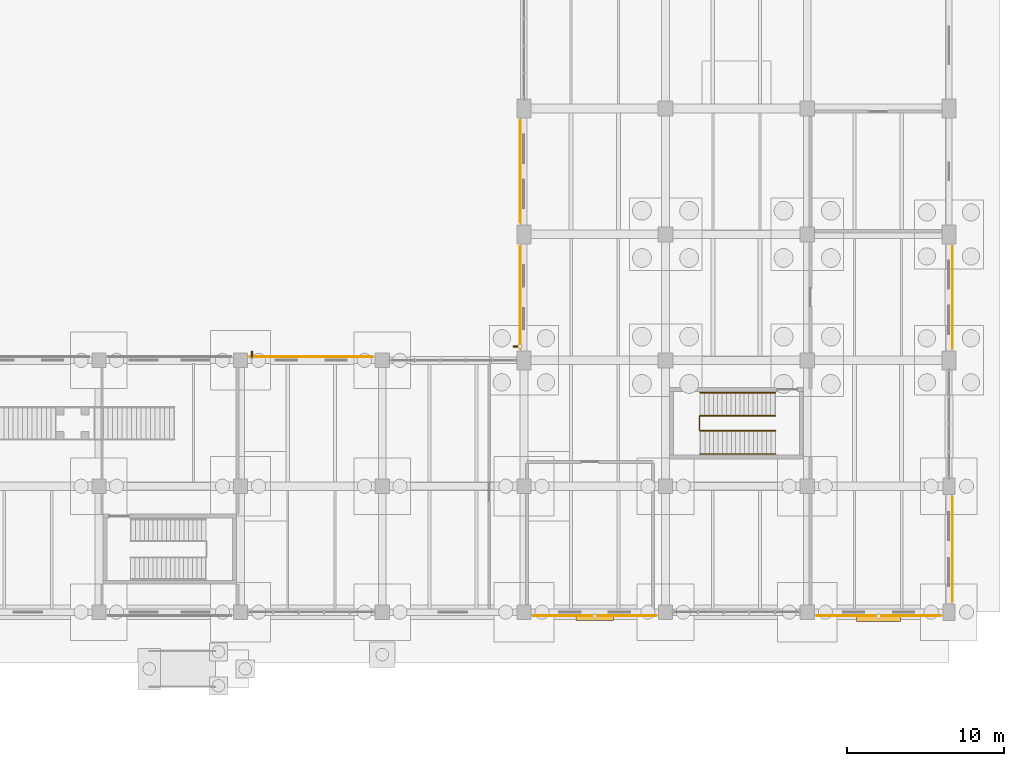
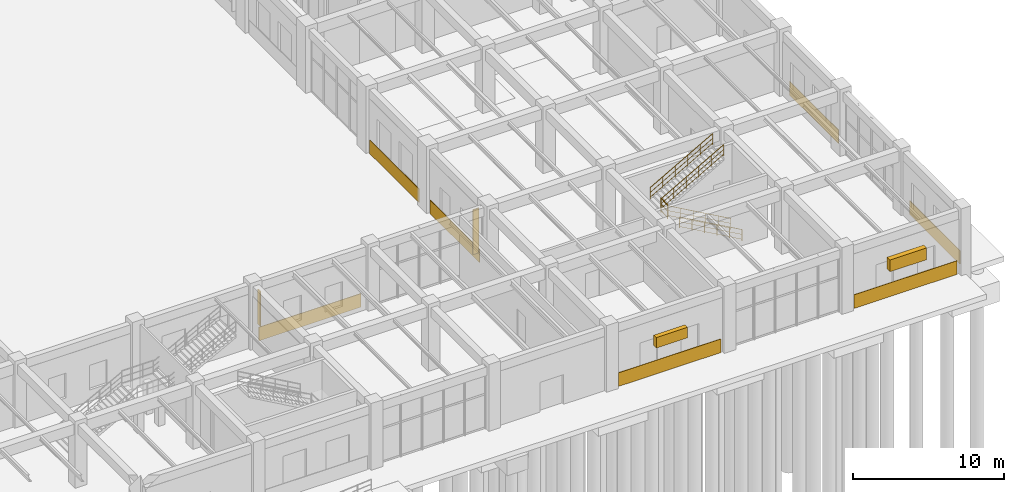
# One storey, part 117 of 121: 7 coverings, 5 railings, 4 shading devices.
"""IFC4 building model written with IfcOpenShell, lengths in metres."""

from ifc_helpers import new_model, si_unit, derived_unit, direction, frame, origin, origin_2d, place, context, subcontext, project, spatial, rectangle, circle, extrude, material, layer, layer_set, type_object, element, save


model = new_model("IFC4")

# Units and contexts
model_context = context("Model", 3, precision=1e-05, world=origin(), true_north=direction((0.0, 1.0)))
body_context = subcontext(model_context, "Body", "Model", "MODEL_VIEW")
ifc_project = project(units=[si_unit("LENGTHUNIT", "METRE"), si_unit("AREAUNIT", "SQUARE_METRE"), si_unit("VOLUMEUNIT", "CUBIC_METRE"), si_unit("PLANEANGLEUNIT", "RADIAN"), si_unit("MASSUNIT", "GRAM", prefix="KILO"), derived_unit("THERMALTRANSMITTANCEUNIT", [(si_unit("MASSUNIT", "GRAM", prefix="KILO"), 1), (si_unit("TIMEUNIT", "SECOND"), -3), (si_unit("THERMODYNAMICTEMPERATUREUNIT", "KELVIN"), -1)])], contexts=[model_context])

# Site, building, storey
site_placement = place(None, origin())
site = spatial("IfcSite", under=ifc_project, at=site_placement, CompositionType="ELEMENT")
building_placement = place(site_placement, origin())
building = spatial("IfcBuilding", under=site, at=building_placement, Name="Zhenchuan Archway Interchange", CompositionType="ELEMENT")
storey_placement = place(building_placement, origin())
storey = spatial("IfcBuildingStorey", under=building, at=storey_placement, Name="L00", CompositionType="ELEMENT", Elevation=0.0)

# Coverings
ifc_material_1 = material(Name="Granite Stone Cladding", Category="masonry")
ifc_layer = layer(ifc_material_1, 0.0400390625)
ifc_layer_set = layer_set([ifc_layer], Name="Granite Stone Cladding")
covering_type = type_object("IfcCoveringType", Name="COV_CLAD_GRANITE", PredefinedType="CLADDING", material=ifc_layer_set)
covering_1_placement = place(storey_placement, frame((171.22802734375, 28.0, 0.0), z_axis=(0.0, 0.0, 1.0), x_axis=(0.0, -1.0, 0.0)))
element("IfcCovering", 1, at=covering_1_placement, inside=storey, type_object=covering_type, Name="Pearl-grey granite plinth band 074", PredefinedType="CLADDING", context=body_context, shape_type="SweptSolid", body=[
    extrude(rectangle(XDim=6.50390625, YDim=0.0400390625, at=origin_2d()), origin(), (0.0, 0.0, 1.0), 1.10009765625),
])
covering_2_placement = place(storey_placement, frame((171.22802734375, 12.0, 0.0), z_axis=(0.0, 0.0, 1.0), x_axis=(0.0, -1.0, 0.0)))
element("IfcCovering", 2, at=covering_2_placement, inside=storey, type_object=covering_type, Name="Pearl-grey granite plinth band 076", PredefinedType="CLADDING", context=body_context, shape_type="SweptSolid", body=[
    extrude(rectangle(XDim=6.654052734375, YDim=0.0400390625, at=origin_2d()), origin(), (0.0, 0.0, 1.0), 1.10009765625),
])
covering_3_placement = place(storey_placement, frame((166.53759765625, 7.77197265625, 0.0), z_axis=(0.0, 0.0, 1.0), x_axis=(-1.0, 0.0, 0.0)))
element("IfcCovering", 3, at=covering_3_placement, inside=storey, type_object=covering_type, Name="Pearl-grey granite plinth band 077", PredefinedType="CLADDING", context=body_context, shape_type="SweptSolid", body=[
    extrude(rectangle(XDim=7.87890625, YDim=0.0400390625, at=origin_2d()), origin(), (0.0, 0.0, 1.0), 1.10009765625),
])
for number, where, z_axis, x_axis, name in (
    (4, (148.5, 7.77197265625, 0.0), (0.0, 0.0, 1.0), (-1.0, 0.0, 0.0), "Pearl-grey granite plinth band 079"),
    (5, (130.5, 24.22802734375, 0.0), (0.0, 0.0, 1.0), (1.0, 0.0, 0.0), "Pearl-grey granite plinth band 101"),
):
    element("IfcCovering", number, at=place(storey_placement, frame(where, z_axis=z_axis, x_axis=x_axis)), inside=storey, type_object=covering_type, Name=name, PredefinedType="CLADDING", context=body_context, shape_type="SweptSolid", body=[
        extrude(rectangle(XDim=7.803955078125, YDim=0.0400390625, at=origin_2d()), origin(), (0.0, 0.0, 1.0), 1.10009765625),
    ])
for number, where, z_axis, x_axis, name in (
    (6, (143.77197265625, 28.0, 0.0), (0.0, 0.0, 1.0), (0.0, 1.0, 0.0), "Pearl-grey granite plinth band 103"),
    (7, (143.77197265625, 36.0, 0.0), (0.0, 0.0, 1.0), (0.0, 1.0, 0.0), "Pearl-grey granite plinth band 104"),
):
    element("IfcCovering", number, at=place(storey_placement, frame(where, z_axis=z_axis, x_axis=x_axis)), inside=storey, type_object=covering_type, Name=name, PredefinedType="CLADDING", context=body_context, shape_type="SweptSolid", body=[
        extrude(rectangle(XDim=6.50390625, YDim=0.0400390625, at=origin_2d()), origin(), (0.0, 0.0, 1.0), 1.10009765625),
    ])

# Railings
ifc_material_2 = material(Name="Painted Galvanised Steel", Category="steel")
railing_type_1 = type_object("IfcRailingType", Name="RL_GUARD_1150", PredefinedType="GUARDRAIL", material=ifc_material_2)
railing_placement = place(storey_placement, frame((155.155029296875, 19.56494140625, 2.699951171875)))
element("IfcRailing", 8, at=railing_placement, inside=storey, type_object=railing_type_1, Name="Stair ST-O4 half-landing slot guard (L00)", PredefinedType="GUARDRAIL", context=body_context, shape_type="SweptSolid", body=[
    extrude(circle(Radius=0.02392578125, at=origin_2d()), frame((0.0, 0.0, 1.1259765625), z_axis=(0.0, 1.0, 0.0), x_axis=(-1.0, 0.0, 0.0)), (0.0, 0.0, 1.0), 0.8701171875),
    extrude(circle(Radius=0.01611328125, at=origin_2d()), frame((0.0, 0.0, 0.63232421875), z_axis=(0.0, 1.0, 0.0), x_axis=(-1.0, 0.0, 0.0)), (0.0, 0.0, 1.0), 0.8701171875),
    extrude(circle(Radius=0.01611328125, at=origin_2d()), frame((0.0, 0.0, 0.1201171875), z_axis=(0.0, 1.0, 0.0), x_axis=(-1.0, 0.0, 0.0)), (0.0, 0.0, 1.0), 0.8701171875),
    extrude(circle(Radius=0.02099609375, at=origin_2d()), origin(), (0.0, 0.0, 1.0), 1.1259765625),
    extrude(circle(Radius=0.02099609375, at=origin_2d()), frame((0.0, 0.8701171875, 0.0)), (0.0, 0.0, 1.0), 1.1259765625),
])
ifc_material_3 = material(Name="Stainless Steel 304", Category="steel")
railing_type_2 = type_object("IfcRailingType", Name="RL_HAND_920", PredefinedType="HANDRAIL", material=ifc_material_3)
for number, where, name in (
    (9, (159.97509765625, 18.054931640625, 0.14990234375), "Stair ST-O4 handrail 1 (L00)"),
    (10, (159.97509765625, 19.52490234375, 0.14990234375), "Stair ST-O4 handrail 2 (L00)"),
):
    element("IfcRailing", number, at=place(storey_placement, frame(where)), inside=storey, type_object=railing_type_2, Name=name, PredefinedType="HANDRAIL", context=body_context, shape_type="SweptSolid", body=[
        extrude(circle(Radius=0.02392578125, at=origin_2d()), frame((0.0, 0.0, 0.89599609375), z_axis=(-0.87068456393, 0.0, 0.491841834469), x_axis=(0.0, -1.0, 0.0)), (0.0, 0.0, 1.0), 5.489990234375),
        extrude(circle(Radius=0.01611328125, at=origin_2d()), frame((0.0, 0.0, 0.505859375), z_axis=(-0.87068456393, 0.0, 0.491841834469), x_axis=(0.0, -1.0, 0.0)), (0.0, 0.0, 1.0), 5.489990234375),
        extrude(circle(Radius=0.01611328125, at=origin_2d()), frame((0.0, 0.0, 0.1201171875), z_axis=(-0.87068456393, 0.0, 0.491841834469), x_axis=(0.0, -1.0, 0.0)), (0.0, 0.0, 1.0), 5.489990234375),
        extrude(circle(Radius=0.02099609375, at=origin_2d()), origin(), (0.0, 0.0, 1.0), 0.89599609375),
        extrude(circle(Radius=0.02099609375, at=origin_2d()), frame((-0.9560546875, 0.0, 0.5400390625)), (0.0, 0.0, 1.0), 0.89599609375),
        extrude(circle(Radius=0.02099609375, at=origin_2d()), frame((-1.912109375, 0.0, 1.080078125)), (0.0, 0.0, 1.0), 0.89599609375),
        extrude(circle(Radius=0.02099609375, at=origin_2d()), frame((-2.867919921875, 0.0, 1.6201171875)), (0.0, 0.0, 1.0), 0.89599609375),
        extrude(circle(Radius=0.02099609375, at=origin_2d()), frame((-3.823974609375, 0.0, 2.16015625)), (0.0, 0.0, 1.0), 0.89599609375),
        extrude(circle(Radius=0.02099609375, at=origin_2d()), frame((-4.780029296875, 0.0, 2.7001953125)), (0.0, 0.0, 1.0), 0.89599609375),
    ])
for number, where, name in (
    (11, (155.195068359375, 20.47509765625, 2.85009765625), "Stair ST-O4 handrail 3 (L00)"),
    (12, (155.195068359375, 21.945068359375, 2.85009765625), "Stair ST-O4 handrail 4 (L00)"),
):
    element("IfcRailing", number, at=place(storey_placement, frame(where)), inside=storey, type_object=railing_type_2, Name=name, PredefinedType="HANDRAIL", context=body_context, shape_type="SweptSolid", body=[
        extrude(circle(Radius=0.02392578125, at=origin_2d()), frame((0.0, 0.0, 0.89599609375), z_axis=(0.870703607627, 0.0, 0.49180812078), x_axis=(0.0, 1.0, 0.0)), (0.0, 0.0, 1.0), 5.48974609375),
        extrude(circle(Radius=0.01611328125, at=origin_2d()), frame((0.0, 0.0, 0.505859375), z_axis=(0.870703607627, 0.0, 0.49180812078), x_axis=(0.0, 1.0, 0.0)), (0.0, 0.0, 1.0), 5.48974609375),
        extrude(circle(Radius=0.01611328125, at=origin_2d()), frame((0.0, 0.0, 0.1201171875), z_axis=(0.870703607627, 0.0, 0.49180812078), x_axis=(0.0, 1.0, 0.0)), (0.0, 0.0, 1.0), 5.48974609375),
        extrude(circle(Radius=0.02099609375, at=origin_2d()), origin(), (0.0, 0.0, 1.0), 0.89599609375),
        extrude(circle(Radius=0.02099609375, at=origin_2d()), frame((0.9560546875, 0.0, 0.5400390625)), (0.0, 0.0, 1.0), 0.89599609375),
        extrude(circle(Radius=0.02099609375, at=origin_2d()), frame((1.912109375, 0.0, 1.080078125)), (0.0, 0.0, 1.0), 0.89599609375),
        extrude(circle(Radius=0.02099609375, at=origin_2d()), frame((2.867919921875, 0.0, 1.619873046875)), (0.0, 0.0, 1.0), 0.89599609375),
        extrude(circle(Radius=0.02099609375, at=origin_2d()), frame((3.823974609375, 0.0, 2.159912109375)), (0.0, 0.0, 1.0), 0.89599609375),
        extrude(circle(Radius=0.02099609375, at=origin_2d()), frame((4.780029296875, 0.0, 2.699951171875)), (0.0, 0.0, 1.0), 0.89599609375),
    ])

# Shading devices
ifc_material_4 = material(Name="Terracotta Ceramic", Category="masonry")
shading_device_type_1 = type_object("IfcShadingDeviceType", Name="SHD_FIN_2", PredefinedType="USERDEFINED", material=ifc_material_4)
shading_device_1_placement = place(storey_placement, frame((126.72802734375, 24.384033203125, 1.1298828125), z_axis=(0.0, 0.0, 1.0), x_axis=(1.0, 0.0, 0.0)))
element("IfcShadingDevice", 13, at=shading_device_1_placement, inside=storey, type_object=shading_device_type_1, Name="Terracotta vertical solar fin L00-019", ObjectType="FINS", PredefinedType="USERDEFINED", context=body_context, shape_type="SweptSolid", body=[
    extrude(rectangle(XDim=0.080078125, YDim=0.360107421875, at=origin_2d()), origin(), (0.0, 0.0, 1.0), 2.800048828125),
])
shading_device_type_2 = type_object("IfcShadingDeviceType", Name="SHD_FIN_3", PredefinedType="USERDEFINED", material=ifc_material_4)
shading_device_2_placement = place(storey_placement, frame((143.56591796875, 24.8779296875, 0.72998046875), z_axis=(0.0, 0.0, 1.0), x_axis=(0.0, 1.0, 0.0)))
element("IfcShadingDevice", 14, at=shading_device_2_placement, inside=storey, type_object=shading_device_type_2, Name="Terracotta vertical solar fin L00-020", ObjectType="FINS", PredefinedType="USERDEFINED", context=body_context, shape_type="SweptSolid", body=[
    extrude(rectangle(XDim=0.10009765625, YDim=0.4599609375, at=origin_2d()), origin(), (0.0, 0.0, 1.0), 3.60009765625),
])
ifc_material_5 = material(Name="Anodised Aluminium", Category="aluminium")
shading_device_type_3 = type_object("IfcShadingDeviceType", Name="SHD_LOUVRE_1", PredefinedType="JALOUSIE", material=ifc_material_5)
shading_device_3_placement = place(storey_placement, frame((166.53759765625, 7.60595703125, 2.27490234375), z_axis=(0.0, 0.0, 1.0), x_axis=(-1.0, 0.0, 0.0)))
element("IfcShadingDevice", 15, at=shading_device_3_placement, inside=storey, type_object=shading_device_type_3, Name="Monsoon storm-louvre jalousie L00-015", PredefinedType="JALOUSIE", context=body_context, shape_type="SweptSolid", body=[
    extrude(rectangle(XDim=2.800048828125, YDim=0.3798828125, at=origin_2d()), origin(), (0.0, 0.0, 1.0), 0.949951171875),
])
shading_device_type_4 = type_object("IfcShadingDeviceType", Name="SHD_LOUVRE_2", PredefinedType="JALOUSIE", material=ifc_material_5)
shading_device_4_placement = place(storey_placement, frame((148.5, 7.6259765625, 2.324951171875), z_axis=(0.0, 0.0, 1.0), x_axis=(-1.0, 0.0, 0.0)))
element("IfcShadingDevice", 16, at=shading_device_4_placement, inside=storey, type_object=shading_device_type_4, Name="Monsoon storm-louvre jalousie L00-016", PredefinedType="JALOUSIE", context=body_context, shape_type="SweptSolid", body=[
    extrude(rectangle(XDim=2.39990234375, YDim=0.340087890625, at=origin_2d()), origin(), (0.0, 0.0, 1.0), 0.85009765625),
])

save(model, "model.ifc")
